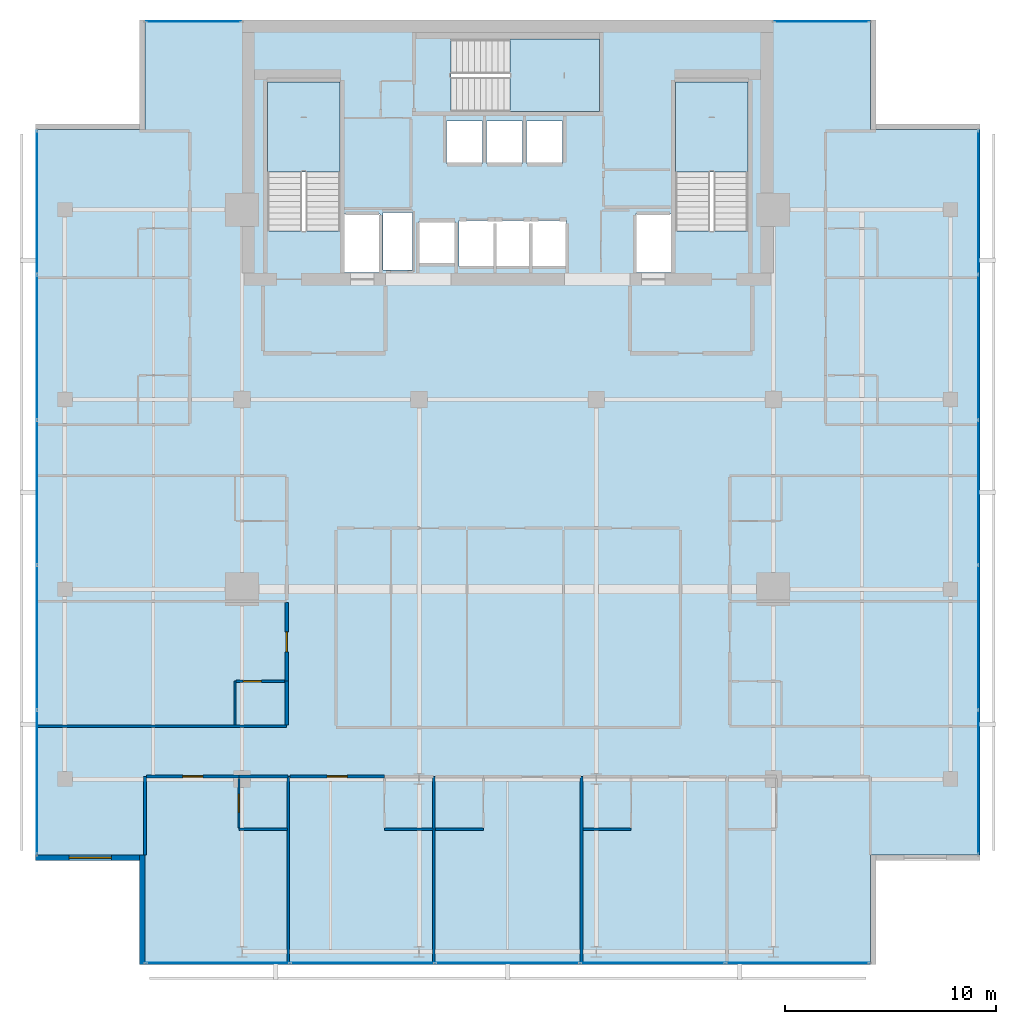
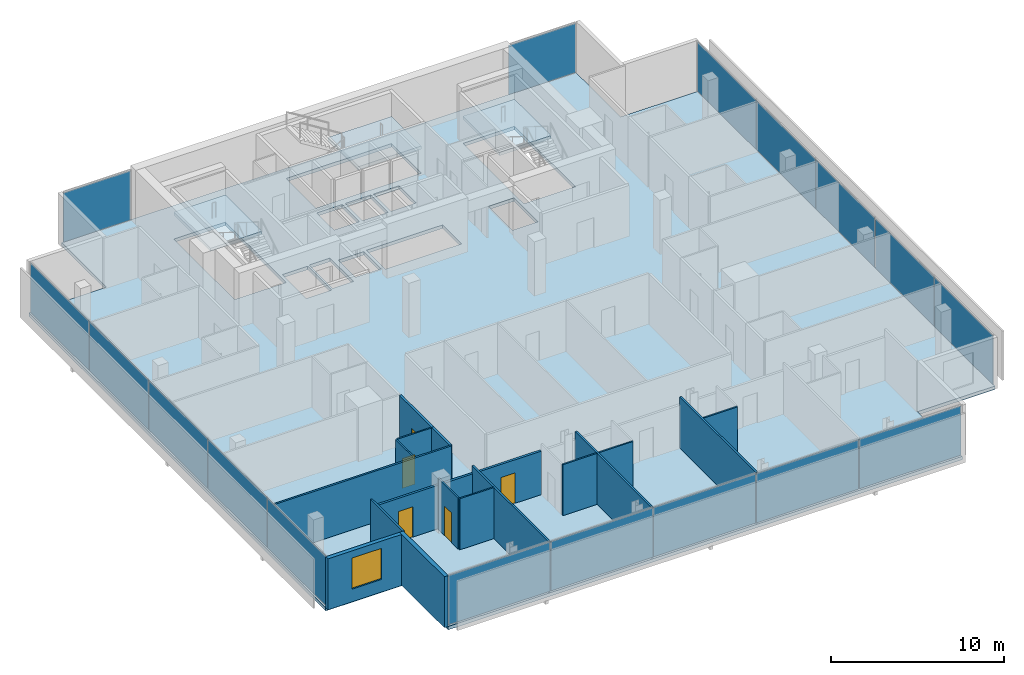
# One storey, part 19 of 25: 19 walls, 17 plates, 5 doors, 4 slabs, 1 window, 6 openings, 8 elements without a shape of their own.
"""IFC4 building model written with IfcOpenShell, lengths in metres."""

from ifc_helpers import new_model, si_unit, direction, frame, frame_2d, origin, origin_2d, place, context, subcontext, project, spatial, polyline, rectangle, outline, extrude, material, layer, layer_set, type_object, element, fill, aggregate, save


model = new_model("IFC4")

# Units and contexts
model_context = context("Model", 3, precision=1e-05, world=origin(), true_north=direction((0.0, 1.0)))
body_context = subcontext(model_context, "Body", "Model", "MODEL_VIEW")
ifc_project = project(units=[si_unit("LENGTHUNIT", "METRE"), si_unit("AREAUNIT", "SQUARE_METRE"), si_unit("VOLUMEUNIT", "CUBIC_METRE"), si_unit("PLANEANGLEUNIT", "RADIAN"), si_unit("MASSUNIT", "GRAM", prefix="KILO")], contexts=[model_context])

# Site, building, storey
site_placement = place(None, origin())
site = spatial("IfcSite", under=ifc_project, at=site_placement, CompositionType="ELEMENT")
building_placement = place(site_placement, origin())
building = spatial("IfcBuilding", under=site, at=building_placement, Name="Maruvema Waterfront Hotel and Observation Tower", CompositionType="ELEMENT")
storey_placement = place(building_placement, frame((0.0, 0.0, 262.5)))
storey = spatial("IfcBuildingStorey", under=building, at=storey_placement, Name="L64", CompositionType="ELEMENT", Elevation=262.5)

# Slab
ifc_material_1 = material(Name="Concrete C50/60", Category="concrete")
ifc_layer_1 = layer(ifc_material_1, 0.239990234375, Name="Reinforced Concrete Floor Slab 240 mm")
ifc_layer_set_1 = layer_set([ifc_layer_1], Name="Concrete C50/60")
slab_type_1 = type_object("IfcSlabType", Name="Reinforced Concrete Floor Slab 240 mm", PredefinedType="FLOOR", material=ifc_layer_set_1)
slab_1_placement = place(storey_placement, frame((0.0, 0.0, -0.239990234375)))
element("IfcSlab", 1, at=slab_1_placement, inside=storey, type_object=slab_type_1, Name="L64 Structural Floor Slab", PredefinedType="FLOOR", context=body_context, shape_type="SweptSolid", body=[
    extrude(outline(polyline([(20.60009765625, 9.199951171875), (55.0, 9.199951171875), (55.0, 14.39990234375), (60.199951171875, 14.39990234375), (60.199951171875, 48.800048828125), (55.0, 48.800048828125), (55.0, 54.0), (20.60009765625, 54.0), (20.60009765625, 48.800048828125), (15.39990234375, 48.800048828125), (15.39990234375, 14.39990234375), (20.60009765625, 14.39990234375), (20.60009765625, 9.199951171875)]), holes=[polyline([(26.39990234375, 44.00048828125), (26.39990234375, 51.050048828125), (29.85009765625, 51.050048828125), (29.85009765625, 44.00048828125), (26.39990234375, 44.00048828125)]), polyline([(30.050048828125, 44.800048828125), (31.75, 44.800048828125), (31.75, 42.02001953125), (30.050048828125, 42.02001953125), (30.050048828125, 44.800048828125)]), polyline([(31.8798828125, 42.139892578125), (31.8798828125, 44.860107421875), (33.280029296875, 44.860107421875), (33.280029296875, 42.139892578125), (31.8798828125, 42.139892578125)]), polyline([(33.60009765625, 44.449951171875), (35.300048828125, 44.449951171875), (35.300048828125, 42.449951171875), (33.60009765625, 42.449951171875), (33.60009765625, 44.449951171875)]), polyline([(34.89990234375, 49.199951171875), (36.60009765625, 49.199951171875), (36.60009765625, 47.199951171875), (34.89990234375, 47.199951171875), (34.89990234375, 49.199951171875)]), polyline([(36.800048828125, 47.199951171875), (36.800048828125, 49.199951171875), (38.5, 49.199951171875), (38.5, 47.199951171875), (36.800048828125, 47.199951171875)]), polyline([(35.5, 42.300048828125), (35.5, 44.5), (40.60009765625, 44.5), (40.60009765625, 42.300048828125), (35.5, 42.300048828125)]), polyline([(35.1005859375, 53.10009765625), (42.14990234375, 53.10009765625), (42.14990234375, 49.64990234375), (35.1005859375, 49.64990234375), (35.1005859375, 53.10009765625)]), polyline([(38.699951171875, 49.199951171875), (40.39990234375, 49.199951171875), (40.39990234375, 47.199951171875), (38.699951171875, 47.199951171875), (38.699951171875, 49.199951171875)]), polyline([(43.85009765625, 44.800048828125), (45.550048828125, 44.800048828125), (45.550048828125, 42.02001953125), (43.85009765625, 42.02001953125), (43.85009765625, 44.800048828125)]), polyline([(45.75, 44.00048828125), (45.75, 51.050048828125), (49.199951171875, 51.050048828125), (49.199951171875, 44.00048828125), (45.75, 44.00048828125)])]), origin(), (0.0, 0.0, 1.0), 0.239990234375),
])

# Curtain wall, plates
ifc_material_2 = material(Name="Anodised bronze aluminium and solar-control low-E IGU", Category="aluminium")
ifc_layer_2 = layer(ifc_material_2, 0.159912109375, Name="Zone 3 Champagne Inner Thermal Curtain Wall System CW-04")
ifc_layer_set_2 = layer_set([ifc_layer_2], Name="Anodised bronze aluminium and solar-control low-E IGU")
curtain_wall_type = type_object("IfcCurtainWallType", Name="Zone 3 Champagne Inner Thermal Curtain Wall System CW-04", PredefinedType="USERDEFINED", material=ifc_layer_set_2)
curtain_wall_1_placement = place(storey_placement, origin())
curtain_wall_1 = element("IfcCurtainWall", 2, at=curtain_wall_1_placement, inside=storey, type_object=curtain_wall_type, Name="L64 Curtain Wall CW-L64-S", ObjectType="UNITISED CURTAIN WALL", PredefinedType="USERDEFINED")
ifc_material_3 = material(Name="Laminated low-E solar-control double glazing", Category="glass")
ifc_layer_3 = layer(ifc_material_3, 0.035888671875, Name="Solar Control Double-Glazed Curtain Panel 36 mm")
ifc_layer_set_3 = layer_set([ifc_layer_3], Name="Laminated low-E solar-control double glazing")
plate_type = type_object("IfcPlateType", Name="Solar Control Double-Glazed Curtain Panel 36 mm", PredefinedType="CURTAIN_PANEL", material=ifc_layer_set_3)
plate_1_placement = place(storey_placement, frame((24.054931640625, 9.280029296875, 0.06005859375), z_axis=(0.0, 0.0, 1.0), x_axis=(1.0, 0.0, 0.0)))
plate_1 = element("IfcPlate", 3, at=plate_1_placement, type_object=plate_type, Name="CW-04 panel 1.1", PredefinedType="CURTAIN_PANEL", context=body_context, shape_type="SweptSolid", body=[
    extrude(rectangle(XDim=6.7900390625, YDim=0.028076171875, at=origin_2d()), origin(), (0.0, 0.0, 1.0), 3.489990234375),
])
plate_2_placement = place(storey_placement, frame((30.919921875, 9.280029296875, 0.06005859375), z_axis=(0.0, 0.0, 1.0), x_axis=(1.0, 0.0, 0.0)))
plate_2 = element("IfcPlate", 4, at=plate_2_placement, type_object=plate_type, Name="CW-04 panel 2.1", PredefinedType="CURTAIN_PANEL", context=body_context, shape_type="SweptSolid", body=[
    extrude(rectangle(XDim=6.820068359375, YDim=0.028076171875, at=origin_2d()), origin(), (0.0, 0.0, 1.0), 3.489990234375),
])
plate_3_placement = place(storey_placement, frame((37.800048828125, 9.280029296875, 0.06005859375), z_axis=(0.0, 0.0, 1.0), x_axis=(1.0, 0.0, 0.0)))
plate_3 = element("IfcPlate", 5, at=plate_3_placement, type_object=plate_type, Name="CW-04 panel 3.1", PredefinedType="CURTAIN_PANEL", context=body_context, shape_type="SweptSolid", body=[
    extrude(rectangle(XDim=6.820068359375, YDim=0.028076171875, at=origin_2d()), origin(), (0.0, 0.0, 1.0), 3.489990234375),
])
plate_4_placement = place(storey_placement, frame((44.679931640625, 9.280029296875, 0.06005859375), z_axis=(0.0, 0.0, 1.0), x_axis=(1.0, 0.0, 0.0)))
plate_4 = element("IfcPlate", 6, at=plate_4_placement, type_object=plate_type, Name="CW-04 panel 4.1", PredefinedType="CURTAIN_PANEL", context=body_context, shape_type="SweptSolid", body=[
    extrude(rectangle(XDim=6.820068359375, YDim=0.028076171875, at=origin_2d()), origin(), (0.0, 0.0, 1.0), 3.489990234375),
])
plate_5_placement = place(storey_placement, frame((51.544921875, 9.280029296875, 0.06005859375), z_axis=(0.0, 0.0, 1.0), x_axis=(1.0, 0.0, 0.0)))
plate_5 = element("IfcPlate", 7, at=plate_5_placement, type_object=plate_type, Name="CW-04 panel 5.1", PredefinedType="CURTAIN_PANEL", context=body_context, shape_type="SweptSolid", body=[
    extrude(rectangle(XDim=6.7900390625, YDim=0.028076171875, at=origin_2d()), origin(), (0.0, 0.0, 1.0), 3.489990234375),
])
aggregate(curtain_wall_1, [plate_1, plate_2, plate_3, plate_4, plate_5])

curtain_wall_2_placement = place(storey_placement, origin())
curtain_wall_2 = element("IfcCurtainWall", 8, at=curtain_wall_2_placement, inside=storey, type_object=curtain_wall_type, Name="L64 Curtain Wall CW-L64-E", ObjectType="UNITISED CURTAIN WALL", PredefinedType="USERDEFINED")
plate_6_placement = place(storey_placement, frame((60.1201171875, 17.85498046875, 0.06005859375), z_axis=(0.0, 0.0, 1.0), x_axis=(0.0, 1.0, 0.0)))
plate_6 = element("IfcPlate", 9, at=plate_6_placement, type_object=plate_type, Name="CW-04 panel 1.1", PredefinedType="CURTAIN_PANEL", context=body_context, shape_type="SweptSolid", body=[
    extrude(rectangle(XDim=6.7900390625, YDim=0.028076171875, at=origin_2d()), origin(), (0.0, 0.0, 1.0), 3.489990234375),
])
plate_7_placement = place(storey_placement, frame((60.1201171875, 24.719970703125, 0.06005859375), z_axis=(0.0, 0.0, 1.0), x_axis=(0.0, 1.0, 0.0)))
plate_7 = element("IfcPlate", 10, at=plate_7_placement, type_object=plate_type, Name="CW-04 panel 2.1", PredefinedType="CURTAIN_PANEL", context=body_context, shape_type="SweptSolid", body=[
    extrude(rectangle(XDim=6.820068359375, YDim=0.028076171875, at=origin_2d()), origin(), (0.0, 0.0, 1.0), 3.489990234375),
])
plate_8_placement = place(storey_placement, frame((60.1201171875, 31.60009765625, 0.06005859375), z_axis=(0.0, 0.0, 1.0), x_axis=(0.0, 1.0, 0.0)))
plate_8 = element("IfcPlate", 11, at=plate_8_placement, type_object=plate_type, Name="CW-04 panel 3.1", PredefinedType="CURTAIN_PANEL", context=body_context, shape_type="SweptSolid", body=[
    extrude(rectangle(XDim=6.820068359375, YDim=0.028076171875, at=origin_2d()), origin(), (0.0, 0.0, 1.0), 3.489990234375),
])
plate_9_placement = place(storey_placement, frame((60.1201171875, 38.47998046875, 0.06005859375), z_axis=(0.0, 0.0, 1.0), x_axis=(0.0, 1.0, 0.0)))
plate_9 = element("IfcPlate", 12, at=plate_9_placement, type_object=plate_type, Name="CW-04 panel 4.1", PredefinedType="CURTAIN_PANEL", context=body_context, shape_type="SweptSolid", body=[
    extrude(rectangle(XDim=6.820068359375, YDim=0.028076171875, at=origin_2d()), origin(), (0.0, 0.0, 1.0), 3.489990234375),
])
plate_10_placement = place(storey_placement, frame((60.1201171875, 45.344970703125, 0.06005859375), z_axis=(0.0, 0.0, 1.0), x_axis=(0.0, 1.0, 0.0)))
plate_10 = element("IfcPlate", 13, at=plate_10_placement, type_object=plate_type, Name="CW-04 panel 5.1", PredefinedType="CURTAIN_PANEL", context=body_context, shape_type="SweptSolid", body=[
    extrude(rectangle(XDim=6.7900390625, YDim=0.028076171875, at=origin_2d()), origin(), (0.0, 0.0, 1.0), 3.489990234375),
])
aggregate(curtain_wall_2, [plate_6, plate_7, plate_8, plate_9, plate_10])

curtain_wall_3_placement = place(storey_placement, origin())
curtain_wall_3 = element("IfcCurtainWall", 14, at=curtain_wall_3_placement, inside=storey, type_object=curtain_wall_type, Name="L64 Curtain Wall CW-L64-W", ObjectType="UNITISED CURTAIN WALL", PredefinedType="USERDEFINED")
plate_11_placement = place(storey_placement, frame((15.47998046875, 45.344970703125, 0.06005859375), z_axis=(0.0, 0.0, 1.0), x_axis=(0.0, -1.0, 0.0)))
plate_11 = element("IfcPlate", 15, at=plate_11_placement, type_object=plate_type, Name="CW-04 panel 1.1", PredefinedType="CURTAIN_PANEL", context=body_context, shape_type="SweptSolid", body=[
    extrude(rectangle(XDim=6.7900390625, YDim=0.028076171875, at=origin_2d()), origin(), (0.0, 0.0, 1.0), 3.489990234375),
])
plate_12_placement = place(storey_placement, frame((15.47998046875, 38.47998046875, 0.06005859375), z_axis=(0.0, 0.0, 1.0), x_axis=(0.0, -1.0, 0.0)))
plate_12 = element("IfcPlate", 16, at=plate_12_placement, type_object=plate_type, Name="CW-04 panel 2.1", PredefinedType="CURTAIN_PANEL", context=body_context, shape_type="SweptSolid", body=[
    extrude(rectangle(XDim=6.820068359375, YDim=0.028076171875, at=origin_2d()), origin(), (0.0, 0.0, 1.0), 3.489990234375),
])
plate_13_placement = place(storey_placement, frame((15.47998046875, 31.60009765625, 0.06005859375), z_axis=(0.0, 0.0, 1.0), x_axis=(0.0, -1.0, 0.0)))
plate_13 = element("IfcPlate", 17, at=plate_13_placement, type_object=plate_type, Name="CW-04 panel 3.1", PredefinedType="CURTAIN_PANEL", context=body_context, shape_type="SweptSolid", body=[
    extrude(rectangle(XDim=6.820068359375, YDim=0.028076171875, at=origin_2d()), origin(), (0.0, 0.0, 1.0), 3.489990234375),
])
plate_14_placement = place(storey_placement, frame((15.47998046875, 24.719970703125, 0.06005859375), z_axis=(0.0, 0.0, 1.0), x_axis=(0.0, -1.0, 0.0)))
plate_14 = element("IfcPlate", 18, at=plate_14_placement, type_object=plate_type, Name="CW-04 panel 4.1", PredefinedType="CURTAIN_PANEL", context=body_context, shape_type="SweptSolid", body=[
    extrude(rectangle(XDim=6.820068359375, YDim=0.028076171875, at=origin_2d()), origin(), (0.0, 0.0, 1.0), 3.489990234375),
])
plate_15_placement = place(storey_placement, frame((15.47998046875, 17.85498046875, 0.06005859375), z_axis=(0.0, 0.0, 1.0), x_axis=(0.0, -1.0, 0.0)))
plate_15 = element("IfcPlate", 19, at=plate_15_placement, type_object=plate_type, Name="CW-04 panel 5.1", PredefinedType="CURTAIN_PANEL", context=body_context, shape_type="SweptSolid", body=[
    extrude(rectangle(XDim=6.7900390625, YDim=0.028076171875, at=origin_2d()), origin(), (0.0, 0.0, 1.0), 3.489990234375),
])
aggregate(curtain_wall_3, [plate_11, plate_12, plate_13, plate_14, plate_15])

# Curtain wall, plate
curtain_wall_4_placement = place(storey_placement, origin())
curtain_wall_4 = element("IfcCurtainWall", 20, at=curtain_wall_4_placement, inside=storey, type_object=curtain_wall_type, Name="L64 Curtain Wall CW-L64-NW", ObjectType="UNITISED CURTAIN WALL", PredefinedType="USERDEFINED")
plate_16_placement = place(storey_placement, frame((22.89990234375, 53.919921875, 0.06005859375), z_axis=(0.0, 0.0, 1.0), x_axis=(-1.0, 0.0, 0.0)))
plate_16 = element("IfcPlate", 21, at=plate_16_placement, type_object=plate_type, Name="CW-04 panel 1.1", PredefinedType="CURTAIN_PANEL", context=body_context, shape_type="SweptSolid", body=[
    extrude(rectangle(XDim=4.47998046875, YDim=0.028076171875, at=origin_2d()), origin(), (0.0, 0.0, 1.0), 3.489990234375),
])
aggregate(curtain_wall_4, [plate_16])

curtain_wall_5_placement = place(storey_placement, origin())
curtain_wall_5 = element("IfcCurtainWall", 22, at=curtain_wall_5_placement, inside=storey, type_object=curtain_wall_type, Name="L64 Curtain Wall CW-L64-NE", ObjectType="UNITISED CURTAIN WALL", PredefinedType="USERDEFINED")
plate_17_placement = place(storey_placement, frame((52.699951171875, 53.919921875, 0.06005859375), z_axis=(0.0, 0.0, 1.0), x_axis=(-1.0, 0.0, 0.0)))
plate_17 = element("IfcPlate", 23, at=plate_17_placement, type_object=plate_type, Name="CW-04 panel 1.1", PredefinedType="CURTAIN_PANEL", context=body_context, shape_type="SweptSolid", body=[
    extrude(rectangle(XDim=4.47998046875, YDim=0.028076171875, at=origin_2d()), origin(), (0.0, 0.0, 1.0), 3.489990234375),
])
aggregate(curtain_wall_5, [plate_17])

# Stair, slab
ifc_material_4 = material(Name="Concrete C50/60", Category="concrete")
stair_type = type_object("IfcStairType", Name="Dogleg Exit Stair 1650 mm (22R x 175.0 mm)", PredefinedType="HALF_TURN_STAIR", material=ifc_material_4)
stair_1_placement = place(storey_placement, origin())
stair_1 = element("IfcStair", 24, at=stair_1_placement, inside=storey, type_object=stair_type, Name="L64 ST-01", PredefinedType="HALF_TURN_STAIR")
ifc_material_5 = material(Name="Concrete C50/60", Category="concrete")
ifc_layer_4 = layer(ifc_material_5, 0.219970703125, Name="Stair Concrete Landing Slab 220 mm")
ifc_layer_set_4 = layer_set([ifc_layer_4], Name="Concrete C50/60")
slab_type_2 = type_object("IfcSlabType", Name="Stair Concrete Landing Slab 220 mm", PredefinedType="LANDING", material=ifc_layer_set_4)
slab_2_placement = place(storey_placement, frame((0.0, 0.0, 1.705078125)))
slab_2 = element("IfcSlab", 25, at=slab_2_placement, type_object=slab_type_2, Name="ST-01 landing 1", PredefinedType="LANDING", context=body_context, shape_type="SweptSolid", body=[
    extrude(outline(polyline([(29.85009765625, 46.800048828125), (29.85009765625, 51.050048828125), (26.39990234375, 51.050048828125), (26.39990234375, 46.800048828125), (29.85009765625, 46.800048828125)])), origin(), (0.0, 0.0, 1.0), 0.219970703125),
])
aggregate(stair_1, [slab_2])

stair_2_placement = place(storey_placement, origin())
stair_2 = element("IfcStair", 26, at=stair_2_placement, inside=storey, type_object=stair_type, Name="L64 ST-02", PredefinedType="HALF_TURN_STAIR")
slab_3_placement = place(storey_placement, frame((0.0, 0.0, 1.705078125)))
slab_3 = element("IfcSlab", 27, at=slab_3_placement, type_object=slab_type_2, Name="ST-02 landing 1", PredefinedType="LANDING", context=body_context, shape_type="SweptSolid", body=[
    extrude(outline(polyline([(37.89990234375, 49.64990234375), (42.14990234375, 49.64990234375), (42.14990234375, 53.10009765625), (37.89990234375, 53.10009765625), (37.89990234375, 49.64990234375)])), origin(), (0.0, 0.0, 1.0), 0.219970703125),
])
aggregate(stair_2, [slab_3])

stair_3_placement = place(storey_placement, origin())
stair_3 = element("IfcStair", 28, at=stair_3_placement, inside=storey, type_object=stair_type, Name="L64 ST-03", PredefinedType="HALF_TURN_STAIR")
slab_4_placement = place(storey_placement, frame((0.0, 0.0, 1.705078125)))
slab_4 = element("IfcSlab", 29, at=slab_4_placement, type_object=slab_type_2, Name="ST-03 landing 1", PredefinedType="LANDING", context=body_context, shape_type="SweptSolid", body=[
    extrude(outline(polyline([(49.199951171875, 46.800048828125), (49.199951171875, 51.050048828125), (45.75, 51.050048828125), (45.75, 46.800048828125), (49.199951171875, 46.800048828125)])), origin(), (0.0, 0.0, 1.0), 0.219970703125),
])
aggregate(stair_3, [slab_4])

# Wall
ifc_material_6 = material(Name="Twin-stud acoustic gypsum drywall", Category="gypsum")
ifc_layer_5 = layer(ifc_material_6, 0.14990234375, Name="Acoustic Corridor and Suite Demising Wall 150 mm")
ifc_layer_set_5 = layer_set([ifc_layer_5], Name="Twin-stud acoustic gypsum drywall")
wall_type_1 = type_object("IfcWallType", Name="Acoustic Corridor and Suite Demising Wall 150 mm", PredefinedType="PARTITIONING", material=ifc_layer_set_5)
wall_1_placement = place(storey_placement, frame((25.050048828125, 18.1201171875, 0.0), z_axis=(0.0, 0.0, 1.0), x_axis=(1.0, 0.0, 0.0)))
element("IfcWall", 30, at=wall_1_placement, inside=storey, type_object=wall_type_1, Name="L64 Bath L64-S1 Back Wall 033", PredefinedType="PARTITIONING", context=body_context, shape_type="SweptSolid", body=[
    extrude(rectangle(XDim=2.329833984375, YDim=0.14990234375, at=frame_2d((1.1650390625, 0.0))), origin(), (0.0, 0.0, 1.0), 3.076904296875),
])

# Wall, opening, door
wall_2_placement = place(storey_placement, frame((20.679931640625, 18.1201171875, 0.0), z_axis=(0.0, 0.0, 1.0), x_axis=(1.0, 0.0, 0.0)))
wall_2 = element("IfcWall", 31, at=wall_2_placement, inside=storey, type_object=wall_type_1, Name="L64 Unit L64-S1 Corridor Wall 036", PredefinedType="PARTITIONING", context=body_context, shape_type="SweptSolid", body=[
    extrude(rectangle(XDim=4.3701171875, YDim=0.14990234375, at=frame_2d((2.18505859375, 0.0))), origin(), (0.0, 0.0, 1.0), 3.076904296875),
])
opening_1_placement = place(wall_2_placement, frame((1.7099609375, 0.0, 0.0)))
opening_1 = element("IfcOpeningElement", 32, at=opening_1_placement, cuts=wall_2, Name="Opening DR-095", PredefinedType="OPENING", context=body_context, shape_type="SweptSolid", body=[
    extrude(rectangle(XDim=0.949951171875, YDim=2.14990234375, at=frame_2d((0.47509765625, 1.074951171875))), frame((0.0, 0.0849609375, 0.0), z_axis=(0.0, -1.0, 0.0), x_axis=(1.0, 0.0, 0.0)), (0.0, 0.0, 1.0), 0.169921875),
])
ifc_material_7 = material(Name="Acoustic solid-core hardwood timber leaf", Category="wood")
door_type_1 = type_object("IfcDoorType", Name="Guestroom Entrance Fire Door 950x2150 mm", OperationType="NOTDEFINED", PredefinedType="DOOR", material=ifc_material_7)
door_1_placement = place(opening_1_placement, frame((0.949951171875, 0.0, 0.0), z_axis=(0.0, 0.0, 1.0), x_axis=(-1.0, 0.0, 0.0)))
door_1 = element("IfcDoor", 33, at=door_1_placement, inside=storey, type_object=door_type_1, Name="L64 Unit L64-S1 Entrance Door", OperationType="SINGLE_SWING_RIGHT", OverallHeight=2.14990234375, OverallWidth=0.949951171875, PredefinedType="DOOR", context=body_context, shape_type="SweptSolid", body=[
    extrude(rectangle(XDim=0.949951171875, YDim=2.14990234375, at=frame_2d((0.47509765625, 1.074951171875))), frame((0.0, 0.02490234375, 0.0), z_axis=(0.0, -1.0, 0.0), x_axis=(1.0, 0.0, 0.0)), (0.0, 0.0, 1.0), 0.050048828125),
])
fill(opening_1, door_1)

wall_3_placement = place(storey_placement, frame((27.47998046875, 18.1201171875, 0.0), z_axis=(0.0, 0.0, 1.0), x_axis=(1.0, 0.0, 0.0)))
wall_3 = element("IfcWall", 34, at=wall_3_placement, inside=storey, type_object=wall_type_1, Name="L64 Unit L64-S2 Corridor Wall 041", PredefinedType="PARTITIONING", context=body_context, shape_type="SweptSolid", body=[
    extrude(rectangle(XDim=4.469970703125, YDim=0.14990234375, at=frame_2d((2.23486328125, 0.0))), origin(), (0.0, 0.0, 1.0), 3.076904296875),
])
opening_2_placement = place(wall_3_placement, frame((1.760009765625, 0.0, 0.0)))
opening_2 = element("IfcOpeningElement", 35, at=opening_2_placement, cuts=wall_3, Name="Opening DR-095", PredefinedType="OPENING", context=body_context, shape_type="SweptSolid", body=[
    extrude(rectangle(XDim=0.949951171875, YDim=2.14990234375, at=frame_2d((0.47509765625, 1.074951171875))), frame((0.0, 0.0849609375, 0.0), z_axis=(0.0, -1.0, 0.0), x_axis=(1.0, 0.0, 0.0)), (0.0, 0.0, 1.0), 0.169921875),
])
door_2_placement = place(opening_2_placement, frame((0.949951171875, 0.0, 0.0), z_axis=(0.0, 0.0, 1.0), x_axis=(-1.0, 0.0, 0.0)))
door_2 = element("IfcDoor", 36, at=door_2_placement, inside=storey, type_object=door_type_1, Name="L64 Unit L64-S2 Entrance Door", OperationType="SINGLE_SWING_RIGHT", OverallHeight=2.14990234375, OverallWidth=0.949951171875, PredefinedType="DOOR", context=body_context, shape_type="SweptSolid", body=[
    extrude(rectangle(XDim=0.949951171875, YDim=2.14990234375, at=frame_2d((0.47509765625, 1.074951171875))), frame((0.0, 0.02490234375, 0.0), z_axis=(0.0, -1.0, 0.0), x_axis=(1.0, 0.0, 0.0)), (0.0, 0.0, 1.0), 0.050048828125),
])
fill(opening_2, door_2)

# Wall
wall_4_placement = place(storey_placement, frame((27.320068359375, 20.56005859375, 0.0), z_axis=(0.0, 0.0, 1.0), x_axis=(0.0, 1.0, 0.0)))
element("IfcWall", 37, at=wall_4_placement, inside=storey, type_object=wall_type_1, Name="L64 Bath L64-W1 Wall 061", PredefinedType="PARTITIONING", context=body_context, shape_type="SweptSolid", body=[
    extrude(rectangle(XDim=2.079833984375, YDim=0.14990234375, at=frame_2d((1.0400390625, 0.0))), origin(), (0.0, 0.0, 1.0), 3.610107421875),
])

# Wall, opening, door
wall_5_placement = place(storey_placement, frame((27.320068359375, 22.639892578125, 0.0), z_axis=(0.0, 0.0, 1.0), x_axis=(0.0, 1.0, 0.0)))
wall_5 = element("IfcWall", 38, at=wall_5_placement, inside=storey, type_object=wall_type_1, Name="L64 Room L64-W1 Corridor Wall 062", PredefinedType="PARTITIONING", context=body_context, shape_type="SweptSolid", body=[
    extrude(rectangle(XDim=3.739990234375, YDim=0.14990234375, at=frame_2d((1.8701171875, 0.0))), origin(), (0.0, 0.0, 1.0), 3.610107421875),
])
opening_3_placement = place(wall_5_placement, frame((1.39501953125, 0.0, 0.0)))
opening_3 = element("IfcOpeningElement", 39, at=opening_3_placement, cuts=wall_5, Name="Opening DR-095", PredefinedType="OPENING", context=body_context, shape_type="SweptSolid", body=[
    extrude(rectangle(XDim=0.949951171875, YDim=2.14990234375, at=frame_2d((0.47509765625, 1.074951171875))), frame((0.0, 0.0849609375, 0.0), z_axis=(0.0, -1.0, 0.0), x_axis=(1.0, 0.0, 0.0)), (0.0, 0.0, 1.0), 0.169921875),
])
door_3_placement = place(opening_3_placement, origin())
door_3 = element("IfcDoor", 40, at=door_3_placement, inside=storey, type_object=door_type_1, Name="L64 Room L64-W1 Entrance Door", OperationType="SINGLE_SWING_RIGHT", OverallHeight=2.14990234375, OverallWidth=0.949951171875, PredefinedType="DOOR", context=body_context, shape_type="SweptSolid", body=[
    extrude(rectangle(XDim=0.949951171875, YDim=2.14990234375, at=frame_2d((0.47509765625, 1.074951171875))), frame((0.0, 0.02490234375, 0.0), z_axis=(0.0, -1.0, 0.0), x_axis=(1.0, 0.0, 0.0)), (0.0, 0.0, 1.0), 0.050048828125),
])
fill(opening_3, door_3)

# Wall
ifc_material_8 = material(Name="Moisture-resistant cement-board drywall", Category="gypsum")
ifc_layer_6 = layer(ifc_material_8, 0.10009765625, Name="En-Suite Moisture-Resistant Partition 100 mm")
ifc_layer_set_6 = layer_set([ifc_layer_6], Name="Moisture-resistant cement-board drywall")
wall_type_2 = type_object("IfcWallType", Name="En-Suite Moisture-Resistant Partition 100 mm", PredefinedType="PARTITIONING", material=ifc_layer_set_6)
wall_6_placement = place(storey_placement, frame((25.050048828125, 15.6201171875, 0.0), z_axis=(0.0, 0.0, 1.0), x_axis=(1.0, 0.0, 0.0)))
element("IfcWall", 41, at=wall_6_placement, inside=storey, type_object=wall_type_2, Name="L64 En-Suite L64-S1 South 034", PredefinedType="PARTITIONING", context=body_context, shape_type="SweptSolid", body=[
    extrude(rectangle(XDim=2.31005859375, YDim=0.10009765625, at=frame_2d((1.155029296875, 0.0))), origin(), (0.0, 0.0, 1.0), 3.610107421875),
])

# Wall, opening, door
wall_7_placement = place(storey_placement, frame((25.050048828125, 15.679931640625, 0.0), z_axis=(0.0, 0.0, 1.0), x_axis=(0.0, 1.0, 0.0)))
wall_7 = element("IfcWall", 42, at=wall_7_placement, inside=storey, type_object=wall_type_2, Name="L64 En-Suite L64-S1 West 035", PredefinedType="PARTITIONING", context=body_context, shape_type="SweptSolid", body=[
    extrude(rectangle(XDim=2.340087890625, YDim=0.10009765625, at=frame_2d((1.169921875, 0.0))), origin(), (0.0, 0.0, 1.0), 3.610107421875),
])
opening_4_placement = place(wall_7_placement, frame((0.7451171875, 0.0, 0.0)))
opening_4 = element("IfcOpeningElement", 43, at=opening_4_placement, cuts=wall_7, Name="Opening DR-085", PredefinedType="OPENING", context=body_context, shape_type="SweptSolid", body=[
    extrude(rectangle(XDim=0.85009765625, YDim=2.10009765625, at=frame_2d((0.425048828125, 1.050048828125))), frame((0.0, 0.06005859375, 0.0), z_axis=(0.0, -1.0, 0.0), x_axis=(1.0, 0.0, 0.0)), (0.0, 0.0, 1.0), 0.1201171875),
])
ifc_material_9 = material(Name="Moisture-resistant solid timber leaf", Category="wood")
door_type_2 = type_object("IfcDoorType", Name="En-Suite Bathroom Door 850x2100 mm", OperationType="NOTDEFINED", PredefinedType="DOOR", material=ifc_material_9)
door_4_placement = place(opening_4_placement, origin())
door_4 = element("IfcDoor", 44, at=door_4_placement, inside=storey, type_object=door_type_2, Name="L64 En-Suite L64-S1 Door", OperationType="SINGLE_SWING_LEFT", OverallHeight=2.10009765625, OverallWidth=0.85009765625, PredefinedType="DOOR", context=body_context, shape_type="SweptSolid", body=[
    extrude(rectangle(XDim=0.85009765625, YDim=2.10009765625, at=frame_2d((0.425048828125, 1.050048828125))), frame((0.0, 0.02490234375, 0.0), z_axis=(0.0, -1.0, 0.0), x_axis=(1.0, 0.0, 0.0)), (0.0, 0.0, 1.0), 0.050048828125),
])
fill(opening_4, door_4)

# Walls
wall_8_placement = place(storey_placement, frame((31.949951171875, 15.6201171875, 0.0), z_axis=(0.0, 0.0, 1.0), x_axis=(1.0, 0.0, 0.0)))
element("IfcWall", 45, at=wall_8_placement, inside=storey, type_object=wall_type_2, Name="L64 En-Suite L64-S2 South 039", PredefinedType="PARTITIONING", context=body_context, shape_type="SweptSolid", body=[
    extrude(rectangle(XDim=2.31005859375, YDim=0.10009765625, at=frame_2d((1.155029296875, 0.0))), origin(), (0.0, 0.0, 1.0), 3.610107421875),
])
for number, where, z_axis, x_axis, name in (
    (46, (34.3798828125, 15.6201171875, 0.0), (0.0, 0.0, 1.0), (1.0, 0.0, 0.0), "L64 En-Suite L64-S3 South 044"),
    (47, (41.3798828125, 15.6201171875, 0.0), (0.0, 0.0, 1.0), (1.0, 0.0, 0.0), "L64 En-Suite L64-S4 South 049"),
):
    element("IfcWall", number, at=place(storey_placement, frame(where, z_axis=z_axis, x_axis=x_axis)), inside=storey, type_object=wall_type_2, Name=name, PredefinedType="PARTITIONING", context=body_context, shape_type="SweptSolid", body=[
        extrude(rectangle(XDim=2.27001953125, YDim=0.10009765625, at=frame_2d((1.135009765625, 0.0))), origin(), (0.0, 0.0, 1.0), 3.610107421875),
    ])
wall_9_placement = place(storey_placement, frame((24.8701171875, 20.56005859375, 0.0), z_axis=(0.0, 0.0, 1.0), x_axis=(0.0, 1.0, 0.0)))
element("IfcWall", 48, at=wall_9_placement, inside=storey, type_object=wall_type_2, Name="L64 En-Suite L64-W1 W 063", PredefinedType="PARTITIONING", context=body_context, shape_type="SweptSolid", body=[
    extrude(rectangle(XDim=2.079833984375, YDim=0.10009765625, at=frame_2d((1.0400390625, 0.0))), origin(), (0.0, 0.0, 1.0), 3.610107421875),
])

# Wall, opening, door
wall_10_placement = place(storey_placement, frame((24.919921875, 22.639892578125, 0.0), z_axis=(0.0, 0.0, 1.0), x_axis=(1.0, 0.0, 0.0)))
wall_10 = element("IfcWall", 49, at=wall_10_placement, inside=storey, type_object=wall_type_2, Name="L64 En-Suite L64-W1 N 064", PredefinedType="PARTITIONING", context=body_context, shape_type="SweptSolid", body=[
    extrude(rectangle(XDim=2.300048828125, YDim=0.10009765625, at=frame_2d((1.14990234375, 0.0))), origin(), (0.0, 0.0, 1.0), 3.610107421875),
])
opening_5_placement = place(wall_10_placement, frame((0.35009765625, 0.0, 0.0)))
opening_5 = element("IfcOpeningElement", 50, at=opening_5_placement, cuts=wall_10, Name="Opening DR-085", PredefinedType="OPENING", context=body_context, shape_type="SweptSolid", body=[
    extrude(rectangle(XDim=0.85009765625, YDim=2.10009765625, at=frame_2d((0.425048828125, 1.050048828125))), frame((0.0, 0.06005859375, 0.0), z_axis=(0.0, -1.0, 0.0), x_axis=(1.0, 0.0, 0.0)), (0.0, 0.0, 1.0), 0.1201171875),
])
door_5_placement = place(opening_5_placement, origin())
door_5 = element("IfcDoor", 51, at=door_5_placement, inside=storey, type_object=door_type_2, Name="L64 En-Suite L64-W1 Door", OperationType="SINGLE_SWING_LEFT", OverallHeight=2.10009765625, OverallWidth=0.85009765625, PredefinedType="DOOR", context=body_context, shape_type="SweptSolid", body=[
    extrude(rectangle(XDim=0.85009765625, YDim=2.10009765625, at=frame_2d((0.425048828125, 1.050048828125))), frame((0.0, 0.02490234375, 0.0), z_axis=(0.0, -1.0, 0.0), x_axis=(1.0, 0.0, 0.0)), (0.0, 0.0, 1.0), 0.050048828125),
])
fill(opening_5, door_5)

# Wall
ifc_material_10 = material(Name="Precast concrete C45/55 with honed Pernambuco granite facing", Category="masonry")
ifc_layer_7 = layer(ifc_material_10, 0.260009765625, Name="Exterior Granite Clad Spandrel and Pier Wall 260 mm")
ifc_layer_set_7 = layer_set([ifc_layer_7], Name="Precast concrete C45/55 with honed Pernambuco granite facing")
wall_type_3 = type_object("IfcWallType", Name="Exterior Granite Clad Spandrel and Pier Wall 260 mm", PredefinedType="SOLIDWALL", material=ifc_layer_set_7)
wall_11_placement = place(storey_placement, frame((20.469970703125, 9.199951171875, 0.0), z_axis=(0.0, 0.0, 1.0), x_axis=(0.0, 1.0, 0.0)))
element("IfcWall", 52, at=wall_11_placement, inside=storey, type_object=wall_type_3, Name="L64 Corner Notch Granite Pier Wall SW1", PredefinedType="SOLIDWALL", context=body_context, shape_type="SweptSolid", body=[
    extrude(rectangle(XDim=5.199951171875, YDim=0.260009765625, at=frame_2d((2.60009765625, 0.0))), origin(), (0.0, 0.0, 1.0), 3.610107421875),
])

# Wall, opening, window
wall_12_placement = place(storey_placement, frame((20.60009765625, 14.27001953125, 0.0), z_axis=(0.0, 0.0, 1.0), x_axis=(-1.0, 0.0, 0.0)))
wall_12 = element("IfcWall", 53, at=wall_12_placement, inside=storey, type_object=wall_type_3, Name="L64 Corner Notch Granite Pier Wall SW2", PredefinedType="SOLIDWALL", context=body_context, shape_type="SweptSolid", body=[
    extrude(rectangle(XDim=5.2001953125, YDim=0.260009765625, at=frame_2d((2.60009765625, 0.0))), origin(), (0.0, 0.0, 1.0), 3.610107421875),
])
opening_6_placement = place(wall_12_placement, frame((1.60009765625, 0.0, 0.89990234375)))
opening_6 = element("IfcOpeningElement", 54, at=opening_6_placement, cuts=wall_12, Name="Opening WN-03", PredefinedType="OPENING", context=body_context, shape_type="SweptSolid", body=[
    extrude(rectangle(XDim=2.0, YDim=2.199951171875, at=frame_2d((1.0, 1.10009765625))), frame((0.0, 0.14013671875, 0.0), z_axis=(0.0, -1.0, 0.0), x_axis=(1.0, 0.0, 0.0)), (0.0, 0.0, 1.0), 0.280029296875),
])
ifc_material_11 = material(Name="Anodised bronze aluminium frame with laminated low-E glass", Category="aluminium")
window_type = type_object("IfcWindowType", Name="Sky Suite Panoramic Notch Window 2000x2200 mm", PartitioningType="SINGLE_PANEL", PredefinedType="WINDOW", material=ifc_material_11)
window_placement = place(opening_6_placement, origin())
window = element("IfcWindow", 55, at=window_placement, inside=storey, type_object=window_type, Name="L64 Corner Notch Punched Window SW2", OverallHeight=2.199951171875, OverallWidth=2.0, PartitioningType="SINGLE_PANEL", PredefinedType="WINDOW", context=body_context, shape_type="SweptSolid", body=[
    extrude(rectangle(XDim=2.0, YDim=2.199951171875, at=frame_2d((1.0, 1.10009765625))), frame((0.0, 0.030029296875, 0.0), z_axis=(0.0, -1.0, 0.0), x_axis=(1.0, 0.0, 0.0)), (0.0, 0.0, 1.0), 0.06005859375),
])
fill(opening_6, window)

# Walls
ifc_material_12 = material(Name="Acoustic gypsum plasterboard drywall", Category="gypsum")
ifc_layer_8 = layer(ifc_material_12, 0.125, Name="Guestroom Acoustic Demising Wall 125 mm")
ifc_layer_set_8 = layer_set([ifc_layer_8], Name="Acoustic gypsum plasterboard drywall")
wall_type_4 = type_object("IfcWallType", Name="Guestroom Acoustic Demising Wall 125 mm", PredefinedType="PARTITIONING", material=ifc_layer_set_8)
wall_13_placement = place(storey_placement, frame((20.60009765625, 14.39990234375, 0.0), z_axis=(0.0, 0.0, 1.0), x_axis=(0.0, 1.0, 0.0)))
element("IfcWall", 56, at=wall_13_placement, inside=storey, type_object=wall_type_4, Name="L64 Z3 S West End 031", PredefinedType="PARTITIONING", context=body_context, shape_type="SweptSolid", body=[
    extrude(rectangle(XDim=3.72021484375, YDim=0.125, at=frame_2d((1.860107421875, 0.0))), origin(), (0.0, 0.0, 1.0), 3.610107421875),
])
for number, where, z_axis, x_axis, name in (
    (57, (27.39990234375, 9.300048828125, 0.0), (0.0, 0.0, 1.0), (0.0, 1.0, 0.0), "L64 Z3 S Demising 2 037"),
    (58, (34.300048828125, 9.300048828125, 0.0), (0.0, 0.0, 1.0), (0.0, 1.0, 0.0), "L64 Z3 S Demising 3 042"),
    (59, (41.300048828125, 9.300048828125, 0.0), (0.0, 0.0, 1.0), (0.0, 1.0, 0.0), "L64 Z3 S Demising 4 047"),
):
    element("IfcWall", number, at=place(storey_placement, frame(where, z_axis=z_axis, x_axis=x_axis)), inside=storey, type_object=wall_type_4, Name=name, PredefinedType="PARTITIONING", context=body_context, shape_type="SweptSolid", body=[
        extrude(rectangle(XDim=8.820068359375, YDim=0.125, at=frame_2d((4.41015625, 0.0))), origin(), (0.0, 0.0, 1.0), 3.610107421875),
    ])
wall_14_placement = place(storey_placement, frame((15.5, 20.5, 0.0), z_axis=(0.0, 0.0, 1.0), x_axis=(1.0, 0.0, 0.0)))
element("IfcWall", 60, at=wall_14_placement, inside=storey, type_object=wall_type_4, Name="L64 Z3 W Bot End 057", PredefinedType="PARTITIONING", context=body_context, shape_type="SweptSolid", body=[
    extrude(rectangle(XDim=11.820068359375, YDim=0.125, at=frame_2d((5.91015625, 0.0))), origin(), (0.0, 0.0, 1.0), 3.610107421875),
])

save(model, "model.ifc")
